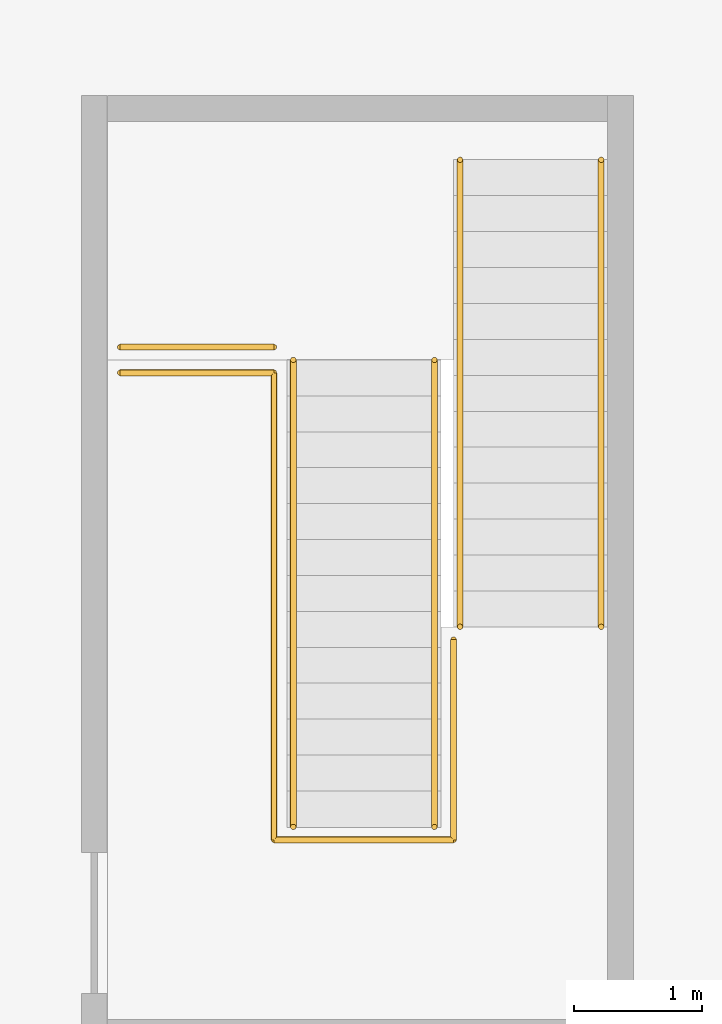
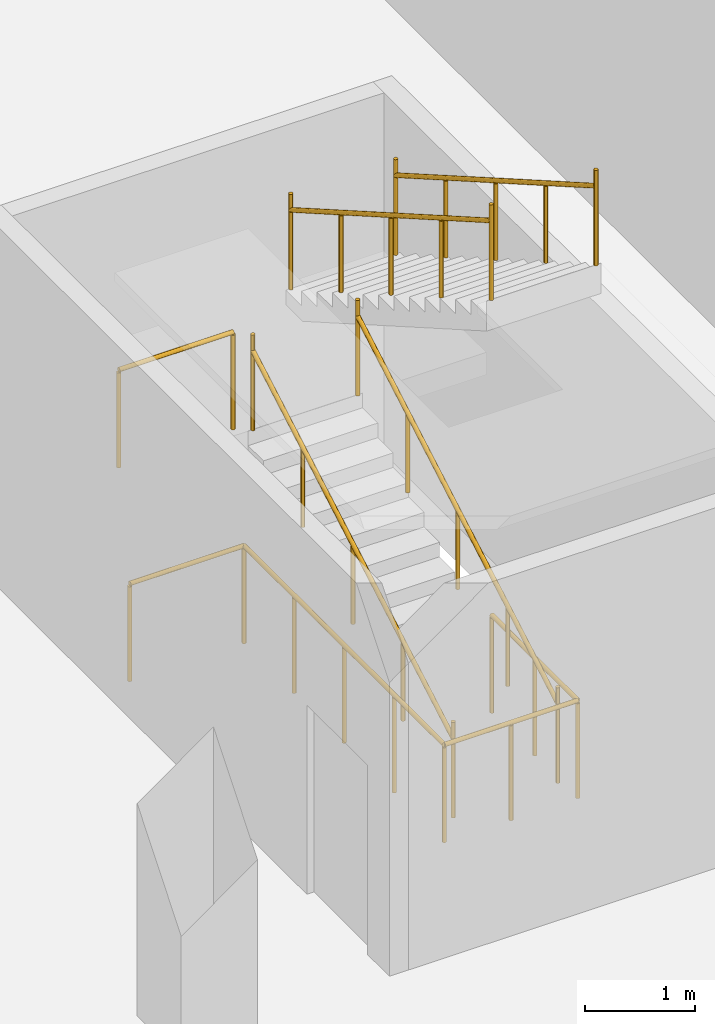
# One storey, part 15 of 19: 6 railings.
"""IFC4 building model written with IfcOpenShell, lengths in metres."""

import ifcopenshell
import ifcopenshell.guid

model = None  # the IFC model being written
_history = None  # IfcOwnerHistory: only IFC2X3 demands one
_inside = {}  # id of a spatial element -> (the spatial element, [elements in it])
_under = {}  # id of a project, library or spatial element -> (it, [spatial elements below it])
_declared = {}  # id of a project -> (the project, [libraries it declares])
_typed = {}  # id of a type object -> (the type object, [elements of that type])
_made_of = {}  # id of a material, layer set ... -> (it, [elements and type objects made of it])


def new_model(schema):
    """Start an empty IFC model of exactly this schema.

    Asked for "IFC4X3", IfcOpenShell would pick the latest addendum, in which some entities
    have other attributes; the version numbers below select the first issue.
    IFC2X3 requires an IfcOwnerHistory on every rooted entity: one is made here for all.
    """
    global model, _history
    if schema == "IFC4X3":
        model = ifcopenshell.file(schema_version=(4, 3, 0, 0))
    else:
        model = ifcopenshell.file(schema=schema)
    _inside.clear()
    _under.clear()
    _declared.clear()
    _typed.clear()
    _made_of.clear()
    _history = None
    if model.schema == "IFC2X3":
        org = make("IfcOrganization", Name="unknown")
        user = make(
            "IfcPersonAndOrganization",
            ThePerson=make("IfcPerson", FamilyName="unknown"),
            TheOrganization=org,
        )
        app = make(
            "IfcApplication",
            ApplicationDeveloper=org,
            Version="unknown",
            ApplicationFullName="unknown",
            ApplicationIdentifier="unknown",
        )
        _history = make(
            "IfcOwnerHistory",
            OwningUser=user,
            OwningApplication=app,
            ChangeAction="ADDED",
            CreationDate=0,
        )
    return model


def make(cls, **values):
    """One entity of the class cls with the attributes given. An attribute that is None is left unset."""
    return model.create_entity(
        cls, **{name: value for name, value in values.items() if value is not None}
    )


def rooted(cls, **values):
    """An entity with a GlobalId (a new one), such as an element, a storey or a relation."""
    return make(cls, GlobalId=ifcopenshell.guid.new(), OwnerHistory=_history, **values)


def si_unit(unit_type, name, prefix=None):
    """IfcSIUnit, for example si_unit("LENGTHUNIT", "METRE", prefix="MILLI")."""
    return make("IfcSIUnit", UnitType=unit_type, Prefix=prefix, Name=name)


def assignment(units):
    """IfcUnitAssignment: the units of a project."""
    return None if units is None else make("IfcUnitAssignment", Units=units)


def point(xyz):
    """IfcCartesianPoint."""
    return None if xyz is None else make("IfcCartesianPoint", Coordinates=xyz)


def direction(xyz):
    """IfcDirection."""
    return None if xyz is None else make("IfcDirection", DirectionRatios=xyz)


def frame(location, z_axis=None, x_axis=None):
    """IfcAxis2Placement3D, a coordinate frame: its origin and axes. An axis left out is left unset."""
    return make(
        "IfcAxis2Placement3D",
        Location=point(location),
        Axis=direction(z_axis),
        RefDirection=direction(x_axis),
    )


def frame_2d(location, x_axis=None):
    """IfcAxis2Placement2D, a coordinate frame in the plane: its origin and x axis."""
    return make(
        "IfcAxis2Placement2D", Location=point(location), RefDirection=direction(x_axis)
    )


def origin():
    """The frame at (0, 0, 0) with its axes left unset."""
    return frame((0.0, 0.0, 0.0))


def origin_2d():
    """The frame at (0, 0) in the plane with its x axis left unset."""
    return frame_2d((0.0, 0.0))


def place(relative_to, where):
    """IfcLocalPlacement: puts the frame where relative to a parent placement (None: the world)."""
    return make(
        "IfcLocalPlacement", PlacementRelTo=relative_to, RelativePlacement=where
    )


def context(
    kind, dimensions, precision=None, world=None, true_north=None, identifier=None
):
    """IfcGeometricRepresentationContext, for example the 3D "Model" context."""
    return make(
        "IfcGeometricRepresentationContext",
        ContextIdentifier=identifier,
        ContextType=kind,
        CoordinateSpaceDimension=dimensions,
        Precision=precision,
        WorldCoordinateSystem=world,
        TrueNorth=true_north,
    )


def subcontext(parent, identifier, kind, view, scale=None):
    """IfcGeometricRepresentationSubContext, for example "Body" below "Model"."""
    return make(
        "IfcGeometricRepresentationSubContext",
        ContextIdentifier=identifier,
        ContextType=kind,
        ParentContext=parent,
        TargetScale=scale,
        TargetView=view,
    )


def project(units=None, contexts=None):
    """IfcProject with its units and contexts."""
    return rooted(
        "IfcProject",
        Name="project",
        RepresentationContexts=contexts,
        UnitsInContext=assignment(units),
    )


def spatial(cls, under=None, at=None, **own):
    """A site, building, storey or space (cls), placed at a placement, below another one or the project."""
    s = rooted(cls, ObjectPlacement=at, **own)
    if under is not None:
        _under.setdefault(under.id(), (under, []))[1].append(s)
    return s


def profile(cls, at=None, kind="AREA", **sizes):
    """A parametric profile (cls). Its sizes go by their IFC names, for example OverallWidth=200.0."""
    return make(cls, ProfileType=kind, Position=at, **sizes)


def circle(**sizes):
    """IfcCircleProfileDef."""
    return profile("IfcCircleProfileDef", **sizes)


def extrude(swept, where, along, depth):
    """IfcExtrudedAreaSolid: the profile swept, set in the frame where, extruded along a direction by depth."""
    return make(
        "IfcExtrudedAreaSolid",
        SweptArea=swept,
        Position=where,
        ExtrudedDirection=direction(along),
        Depth=depth,
    )


def shape(context_of_items, identifier, shape_type, items):
    """IfcShapeRepresentation: the items that make up one representation, for example the "Body"."""
    return make(
        "IfcShapeRepresentation",
        ContextOfItems=context_of_items,
        RepresentationIdentifier=identifier,
        RepresentationType=shape_type,
        Items=items,
    )


def material(Name=None, Category=None):
    """IfcMaterial."""
    return make("IfcMaterial", Name=Name, Category=Category)


def made_of(thing, what):
    """Note that an element or type object is made of a material, layer set ...; save() writes the relation."""
    if what is not None:
        _made_of.setdefault(what.id(), (what, []))[1].append(thing)
    return thing


def type_object(cls, material=None, **own):
    """A type object (cls), such as IfcWallType, which elements share."""
    return made_of(rooted(cls, **own), material)


def element(
    cls,
    number,
    at=None,
    inside=None,
    cuts=None,
    type_object=None,
    material=None,
    context=None,
    identifier="Body",
    shape_type=None,
    held_by="IfcProductDefinitionShape",
    body=None,
    shapes=None,
    **own,
):
    """One element of the class cls, such as IfcWall. Its Tag is "e" and its number.

    at: its placement. inside: the storey or other place that contains it. cuts: it is an
    opening in that element (IfcRelVoidsElement). A single representation is given by context,
    identifier, shape_type and body (its items); several are given by shapes. held_by: the class
    of the entity that holds the representations. save() writes the other relations.
    """
    e = rooted(cls, Tag="e%d" % number, ObjectPlacement=at, **own)
    if body is not None:
        shapes = [shape(context, identifier, shape_type, body)]
    if shapes is not None:
        e.Representation = make(held_by, Representations=shapes)
    if inside is not None:
        _inside.setdefault(inside.id(), (inside, []))[1].append(e)
    if cuts is not None:
        rooted(
            "IfcRelVoidsElement", RelatingBuildingElement=cuts, RelatedOpeningElement=e
        )
    if type_object is not None:
        _typed.setdefault(type_object.id(), (type_object, []))[1].append(e)
    return made_of(e, material)


def aggregate(whole, parts):
    """IfcRelAggregates: a whole, such as a stair, and the parts it consists of."""
    return rooted("IfcRelAggregates", RelatingObject=whole, RelatedObjects=parts)


def save(model, path):
    """Write the relations noted so far, then the file.

    IfcRelAggregates (storeys below a building ...), IfcRelContainedInSpatialStructure (elements
    in a storey), IfcRelDefinesByType, IfcRelAssociatesMaterial and IfcRelDeclares: one each for
    every whole, place, type object, material and project.
    """
    for whole, parts in _under.values():
        aggregate(whole, parts)
    for where, things in _inside.values():
        rooted(
            "IfcRelContainedInSpatialStructure",
            RelatedElements=things,
            RelatingStructure=where,
        )
    for kind, things in _typed.values():
        rooted("IfcRelDefinesByType", RelatedObjects=things, RelatingType=kind)
    for what, things in _made_of.values():
        rooted("IfcRelAssociatesMaterial", RelatedObjects=things, RelatingMaterial=what)
    for by, libraries in _declared.values():
        rooted("IfcRelDeclares", RelatingContext=by, RelatedDefinitions=libraries)
    model.write(path)


model = new_model("IFC4")

# Units and contexts
model_context = context("Model", 3, precision=1e-05, world=origin(), true_north=direction((0.0, 1.0)))
body_context = subcontext(model_context, "Body", "Model", "MODEL_VIEW")
ifc_project = project(units=[si_unit("LENGTHUNIT", "METRE"), si_unit("AREAUNIT", "SQUARE_METRE"), si_unit("VOLUMEUNIT", "CUBIC_METRE"), si_unit("PLANEANGLEUNIT", "RADIAN"), si_unit("MASSUNIT", "GRAM", prefix="KILO")], contexts=[model_context])

# Site, building, storey
site_placement = place(None, origin())
site = spatial("IfcSite", under=ifc_project, at=site_placement, CompositionType="ELEMENT")
building_placement = place(site_placement, origin())
building = spatial("IfcBuilding", under=site, at=building_placement, Name="Qaws Garden Tower", CompositionType="ELEMENT")
storey_placement = place(building_placement, frame((0.0, 0.0, -4.5)))
storey = spatial("IfcBuildingStorey", under=building, at=storey_placement, Name="B1", CompositionType="ELEMENT", Elevation=-4.5)

# Railings
ifc_material_1 = material(Name="Steel S355", Category="steel")
railing_type_1 = type_object("IfcRailingType", Name="Guard steel balustrade 1100", PredefinedType="GUARDRAIL", material=ifc_material_1)
railing_1_placement = place(storey_placement, frame((102.199951171875, 45.0400390625, 0.0)))
element("IfcRailing", 1, at=railing_1_placement, inside=storey, type_object=railing_type_1, Name="Stair opening guard", PredefinedType="GUARDRAIL", context=body_context, shape_type="SweptSolid", body=[
    extrude(circle(Radius=0.02392578125, at=origin_2d()), frame((0.0, 0.0, 1.076171875), z_axis=(1.0, 0.0, 0.0), x_axis=(0.0, 1.0, 0.0)), (0.0, 0.0, 1.0), 1.199951171875),
    extrude(circle(Radius=0.02392578125, at=origin_2d()), frame((1.199951171875, 0.0, 1.076171875), z_axis=(0.0, -1.0, 0.0), x_axis=(1.0, 0.0, 0.0)), (0.0, 0.0, 1.0), 3.64013671875),
    extrude(circle(Radius=0.02392578125, at=origin_2d()), frame((1.199951171875, -3.64013671875, 1.076171875), z_axis=(1.0, 0.0, 0.0), x_axis=(0.0, 1.0, 0.0)), (0.0, 0.0, 1.0), 1.400146484375),
    extrude(circle(Radius=0.02392578125, at=origin_2d()), frame((2.60009765625, -3.64013671875, 1.076171875), z_axis=(0.0, 1.0, 0.0), x_axis=(-1.0, 0.0, 0.0)), (0.0, 0.0, 1.0), 1.56005859375),
    extrude(circle(Radius=0.02099609375, at=origin_2d()), origin(), (0.0, 0.0, 1.0), 1.052001953125),
    extrude(circle(Radius=0.02099609375, at=origin_2d()), frame((1.199951171875, 0.0, 0.0)), (0.0, 0.0, 1.0), 1.052001953125),
    extrude(circle(Radius=0.02099609375, at=origin_2d()), frame((1.199951171875, -0.91015625, 0.0)), (0.0, 0.0, 1.0), 1.052001953125),
    extrude(circle(Radius=0.02099609375, at=origin_2d()), frame((1.199951171875, -1.820068359375, 0.0)), (0.0, 0.0, 1.0), 1.052001953125),
    extrude(circle(Radius=0.02099609375, at=origin_2d()), frame((1.199951171875, -2.72998046875, 0.0)), (0.0, 0.0, 1.0), 1.052001953125),
    extrude(circle(Radius=0.02099609375, at=origin_2d()), frame((1.199951171875, -3.64013671875, 0.0)), (0.0, 0.0, 1.0), 1.052001953125),
    extrude(circle(Radius=0.02099609375, at=origin_2d()), frame((1.89990234375, -3.64013671875, 0.0)), (0.0, 0.0, 1.0), 1.052001953125),
    extrude(circle(Radius=0.02099609375, at=origin_2d()), frame((2.60009765625, -3.64013671875, 0.0)), (0.0, 0.0, 1.0), 1.052001953125),
    extrude(circle(Radius=0.02099609375, at=origin_2d()), frame((2.60009765625, -2.860107421875, 0.0)), (0.0, 0.0, 1.0), 1.052001953125),
    extrude(circle(Radius=0.02099609375, at=origin_2d()), frame((2.60009765625, -2.080078125, 0.0)), (0.0, 0.0, 1.0), 1.052001953125),
])
railing_2_placement = place(storey_placement, frame((102.199951171875, 45.239990234375, 2.25)))
element("IfcRailing", 2, at=railing_2_placement, inside=storey, type_object=railing_type_1, Name="Stair landing guard", PredefinedType="GUARDRAIL", context=body_context, shape_type="SweptSolid", body=[
    extrude(circle(Radius=0.02392578125, at=origin_2d()), frame((0.0, 0.0, 1.076171875), z_axis=(1.0, 0.0, 0.0), x_axis=(0.0, 1.0, 0.0)), (0.0, 0.0, 1.0), 1.199951171875),
    extrude(circle(Radius=0.02099609375, at=origin_2d()), origin(), (0.0, 0.0, 1.0), 1.052001953125),
    extrude(circle(Radius=0.02099609375, at=origin_2d()), frame((1.199951171875, 0.0, 0.0)), (0.0, 0.0, 1.0), 1.052001953125),
])
ifc_material_2 = material(Name="Stainless steel 316", Category="steel")
railing_type_2 = type_object("IfcRailingType", Name="Handrail 900", PredefinedType="HANDRAIL", material=ifc_material_2)
for number, where, name in (
    (3, (103.550048828125, 41.5, 0.16064453125), "Stair handrail"),
    (4, (104.64990234375, 41.5, 0.16064453125), "Stair handrail"),
):
    element("IfcRailing", number, at=place(storey_placement, frame(where)), inside=storey, type_object=railing_type_2, Name=name, PredefinedType="HANDRAIL", context=body_context, shape_type="SweptSolid", body=[
        extrude(circle(Radius=0.02392578125, at=origin_2d()), frame((0.0, 0.0, 0.8759765625), z_axis=(0.0, 0.8672749571, 0.497829437445), x_axis=(-1.0, 0.0, 0.0)), (0.0, 0.0, 1.0), 4.197021484375),
        extrude(circle(Radius=0.02099609375, at=origin_2d()), origin(), (0.0, 0.0, 1.0), 1.06103515625),
        extrude(circle(Radius=0.02099609375, at=origin_2d()), frame((0.0, 0.909912109375, 0.5224609375)), (0.0, 0.0, 1.0), 0.851806640625),
        extrude(circle(Radius=0.02099609375, at=origin_2d()), frame((0.0, 1.81982421875, 1.044677734375)), (0.0, 0.0, 1.0), 0.851806640625),
        extrude(circle(Radius=0.02099609375, at=origin_2d()), frame((0.0, 2.72998046875, 1.56689453125)), (0.0, 0.0, 1.0), 0.851806640625),
        extrude(circle(Radius=0.02099609375, at=origin_2d()), frame((0.0, 3.639892578125, 2.08935546875)), (0.0, 0.0, 1.0), 1.06103515625),
    ])
for number, where, name in (
    (5, (104.85009765625, 46.699951171875, 2.41064453125), "Stair handrail"),
    (6, (105.949951171875, 46.699951171875, 2.41064453125), "Stair handrail"),
):
    element("IfcRailing", number, at=place(storey_placement, frame(where)), inside=storey, type_object=railing_type_2, Name=name, PredefinedType="HANDRAIL", context=body_context, shape_type="SweptSolid", body=[
        extrude(circle(Radius=0.02392578125, at=origin_2d()), frame((0.0, 0.0, 0.8759765625), z_axis=(0.0, -0.8672749571, 0.497829437445), x_axis=(1.0, 0.0, 0.0)), (0.0, 0.0, 1.0), 4.197021484375),
        extrude(circle(Radius=0.02099609375, at=origin_2d()), origin(), (0.0, 0.0, 1.0), 1.06103515625),
        extrude(circle(Radius=0.02099609375, at=origin_2d()), frame((0.0, -0.909912109375, 0.5224609375)), (0.0, 0.0, 1.0), 0.851806640625),
        extrude(circle(Radius=0.02099609375, at=origin_2d()), frame((0.0, -1.81982421875, 1.044677734375)), (0.0, 0.0, 1.0), 0.851806640625),
        extrude(circle(Radius=0.02099609375, at=origin_2d()), frame((0.0, -2.72998046875, 1.56689453125)), (0.0, 0.0, 1.0), 0.851806640625),
        extrude(circle(Radius=0.02099609375, at=origin_2d()), frame((0.0, -3.639892578125, 2.08935546875)), (0.0, 0.0, 1.0), 1.06103515625),
    ])

save(model, "model.ifc")
